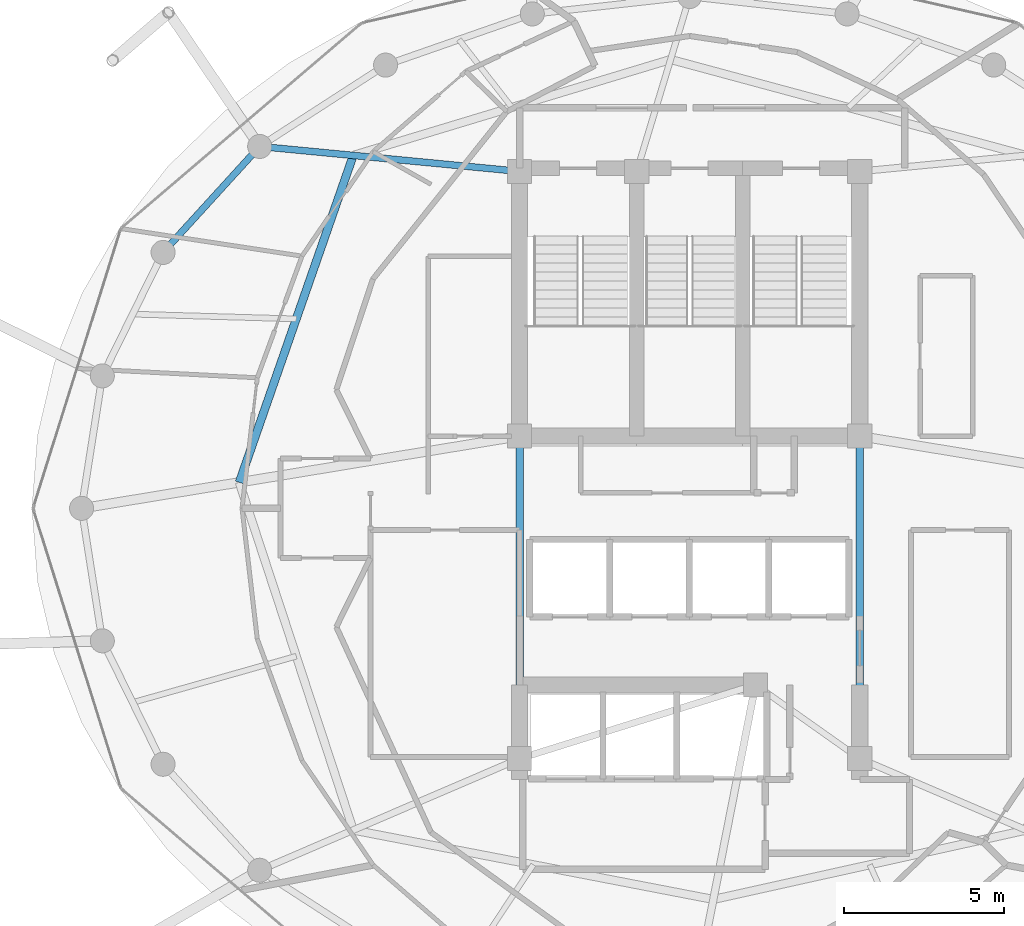
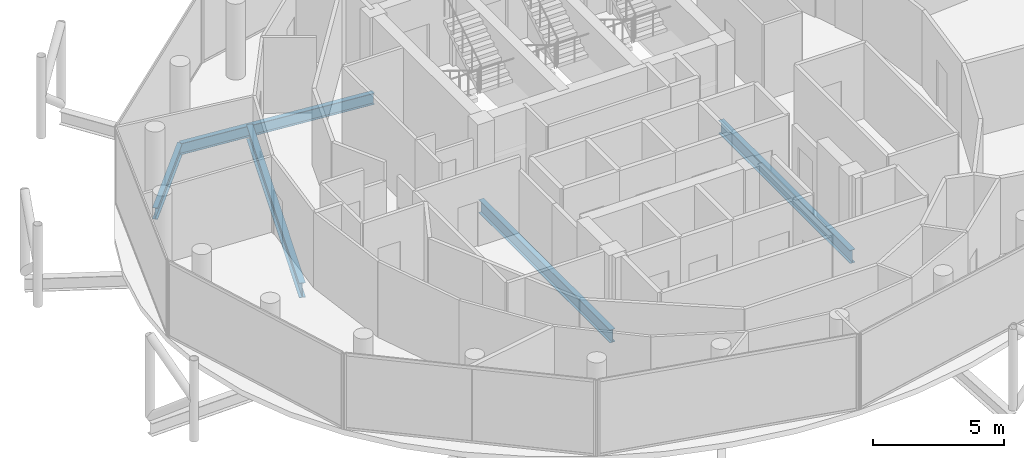
# One storey, part 8 of 24: 5 beams.
"""IFC4 building model written with IfcOpenShell, lengths in metres."""

import ifcopenshell
import ifcopenshell.guid

model = None  # the IFC model being written
_history = None  # IfcOwnerHistory: only IFC2X3 demands one
_inside = {}  # id of a spatial element -> (the spatial element, [elements in it])
_under = {}  # id of a project, library or spatial element -> (it, [spatial elements below it])
_declared = {}  # id of a project -> (the project, [libraries it declares])
_typed = {}  # id of a type object -> (the type object, [elements of that type])
_made_of = {}  # id of a material, layer set ... -> (it, [elements and type objects made of it])


def new_model(schema):
    """Start an empty IFC model of exactly this schema.

    Asked for "IFC4X3", IfcOpenShell would pick the latest addendum, in which some entities
    have other attributes; the version numbers below select the first issue.
    IFC2X3 requires an IfcOwnerHistory on every rooted entity: one is made here for all.
    """
    global model, _history
    if schema == "IFC4X3":
        model = ifcopenshell.file(schema_version=(4, 3, 0, 0))
    else:
        model = ifcopenshell.file(schema=schema)
    _inside.clear()
    _under.clear()
    _declared.clear()
    _typed.clear()
    _made_of.clear()
    _history = None
    if model.schema == "IFC2X3":
        org = make("IfcOrganization", Name="unknown")
        user = make(
            "IfcPersonAndOrganization",
            ThePerson=make("IfcPerson", FamilyName="unknown"),
            TheOrganization=org,
        )
        app = make(
            "IfcApplication",
            ApplicationDeveloper=org,
            Version="unknown",
            ApplicationFullName="unknown",
            ApplicationIdentifier="unknown",
        )
        _history = make(
            "IfcOwnerHistory",
            OwningUser=user,
            OwningApplication=app,
            ChangeAction="ADDED",
            CreationDate=0,
        )
    return model


def make(cls, **values):
    """One entity of the class cls with the attributes given. An attribute that is None is left unset."""
    return model.create_entity(
        cls, **{name: value for name, value in values.items() if value is not None}
    )


def rooted(cls, **values):
    """An entity with a GlobalId (a new one), such as an element, a storey or a relation."""
    return make(cls, GlobalId=ifcopenshell.guid.new(), OwnerHistory=_history, **values)


def si_unit(unit_type, name, prefix=None):
    """IfcSIUnit, for example si_unit("LENGTHUNIT", "METRE", prefix="MILLI")."""
    return make("IfcSIUnit", UnitType=unit_type, Prefix=prefix, Name=name)


def assignment(units):
    """IfcUnitAssignment: the units of a project."""
    return None if units is None else make("IfcUnitAssignment", Units=units)


def point(xyz):
    """IfcCartesianPoint."""
    return None if xyz is None else make("IfcCartesianPoint", Coordinates=xyz)


def direction(xyz):
    """IfcDirection."""
    return None if xyz is None else make("IfcDirection", DirectionRatios=xyz)


def frame(location, z_axis=None, x_axis=None):
    """IfcAxis2Placement3D, a coordinate frame: its origin and axes. An axis left out is left unset."""
    return make(
        "IfcAxis2Placement3D",
        Location=point(location),
        Axis=direction(z_axis),
        RefDirection=direction(x_axis),
    )


def frame_2d(location, x_axis=None):
    """IfcAxis2Placement2D, a coordinate frame in the plane: its origin and x axis."""
    return make(
        "IfcAxis2Placement2D", Location=point(location), RefDirection=direction(x_axis)
    )


def origin():
    """The frame at (0, 0, 0) with its axes left unset."""
    return frame((0.0, 0.0, 0.0))


def origin_2d():
    """The frame at (0, 0) in the plane with its x axis left unset."""
    return frame_2d((0.0, 0.0))


def place(relative_to, where):
    """IfcLocalPlacement: puts the frame where relative to a parent placement (None: the world)."""
    return make(
        "IfcLocalPlacement", PlacementRelTo=relative_to, RelativePlacement=where
    )


def context(
    kind, dimensions, precision=None, world=None, true_north=None, identifier=None
):
    """IfcGeometricRepresentationContext, for example the 3D "Model" context."""
    return make(
        "IfcGeometricRepresentationContext",
        ContextIdentifier=identifier,
        ContextType=kind,
        CoordinateSpaceDimension=dimensions,
        Precision=precision,
        WorldCoordinateSystem=world,
        TrueNorth=true_north,
    )


def subcontext(parent, identifier, kind, view, scale=None):
    """IfcGeometricRepresentationSubContext, for example "Body" below "Model"."""
    return make(
        "IfcGeometricRepresentationSubContext",
        ContextIdentifier=identifier,
        ContextType=kind,
        ParentContext=parent,
        TargetScale=scale,
        TargetView=view,
    )


def project(units=None, contexts=None):
    """IfcProject with its units and contexts."""
    return rooted(
        "IfcProject",
        Name="project",
        RepresentationContexts=contexts,
        UnitsInContext=assignment(units),
    )


def spatial(cls, under=None, at=None, **own):
    """A site, building, storey or space (cls), placed at a placement, below another one or the project."""
    s = rooted(cls, ObjectPlacement=at, **own)
    if under is not None:
        _under.setdefault(under.id(), (under, []))[1].append(s)
    return s


def profile(cls, at=None, kind="AREA", **sizes):
    """A parametric profile (cls). Its sizes go by their IFC names, for example OverallWidth=200.0."""
    return make(cls, ProfileType=kind, Position=at, **sizes)


def i_section(**sizes):
    """IfcIShapeProfileDef."""
    return profile("IfcIShapeProfileDef", **sizes)


def extrude(swept, where, along, depth):
    """IfcExtrudedAreaSolid: the profile swept, set in the frame where, extruded along a direction by depth."""
    return make(
        "IfcExtrudedAreaSolid",
        SweptArea=swept,
        Position=where,
        ExtrudedDirection=direction(along),
        Depth=depth,
    )


def shape(context_of_items, identifier, shape_type, items):
    """IfcShapeRepresentation: the items that make up one representation, for example the "Body"."""
    return make(
        "IfcShapeRepresentation",
        ContextOfItems=context_of_items,
        RepresentationIdentifier=identifier,
        RepresentationType=shape_type,
        Items=items,
    )


def material(Name=None, Category=None):
    """IfcMaterial."""
    return make("IfcMaterial", Name=Name, Category=Category)


def material_profile(
    of_material, cross_section, Name=None, Category=None, Priority=None
):
    """IfcMaterialProfile: a cross section and its material."""
    return make(
        "IfcMaterialProfile",
        Name=Name,
        Material=of_material,
        Profile=cross_section,
        Priority=Priority,
        Category=Category,
    )


def profile_set(profiles, Name=None, composite=None):
    """IfcMaterialProfileSet."""
    return make(
        "IfcMaterialProfileSet",
        Name=Name,
        MaterialProfiles=profiles,
        CompositeProfile=composite,
    )


def made_of(thing, what):
    """Note that an element or type object is made of a material, layer set ...; save() writes the relation."""
    if what is not None:
        _made_of.setdefault(what.id(), (what, []))[1].append(thing)
    return thing


def type_object(cls, material=None, **own):
    """A type object (cls), such as IfcWallType, which elements share."""
    return made_of(rooted(cls, **own), material)


def element(
    cls,
    number,
    at=None,
    inside=None,
    cuts=None,
    type_object=None,
    material=None,
    context=None,
    identifier="Body",
    shape_type=None,
    held_by="IfcProductDefinitionShape",
    body=None,
    shapes=None,
    **own,
):
    """One element of the class cls, such as IfcWall. Its Tag is "e" and its number.

    at: its placement. inside: the storey or other place that contains it. cuts: it is an
    opening in that element (IfcRelVoidsElement). A single representation is given by context,
    identifier, shape_type and body (its items); several are given by shapes. held_by: the class
    of the entity that holds the representations. save() writes the other relations.
    """
    e = rooted(cls, Tag="e%d" % number, ObjectPlacement=at, **own)
    if body is not None:
        shapes = [shape(context, identifier, shape_type, body)]
    if shapes is not None:
        e.Representation = make(held_by, Representations=shapes)
    if inside is not None:
        _inside.setdefault(inside.id(), (inside, []))[1].append(e)
    if cuts is not None:
        rooted(
            "IfcRelVoidsElement", RelatingBuildingElement=cuts, RelatedOpeningElement=e
        )
    if type_object is not None:
        _typed.setdefault(type_object.id(), (type_object, []))[1].append(e)
    return made_of(e, material)


def aggregate(whole, parts):
    """IfcRelAggregates: a whole, such as a stair, and the parts it consists of."""
    return rooted("IfcRelAggregates", RelatingObject=whole, RelatedObjects=parts)


def save(model, path):
    """Write the relations noted so far, then the file.

    IfcRelAggregates (storeys below a building ...), IfcRelContainedInSpatialStructure (elements
    in a storey), IfcRelDefinesByType, IfcRelAssociatesMaterial and IfcRelDeclares: one each for
    every whole, place, type object, material and project.
    """
    for whole, parts in _under.values():
        aggregate(whole, parts)
    for where, things in _inside.values():
        rooted(
            "IfcRelContainedInSpatialStructure",
            RelatedElements=things,
            RelatingStructure=where,
        )
    for kind, things in _typed.values():
        rooted("IfcRelDefinesByType", RelatedObjects=things, RelatingType=kind)
    for what, things in _made_of.values():
        rooted("IfcRelAssociatesMaterial", RelatedObjects=things, RelatingMaterial=what)
    for by, libraries in _declared.values():
        rooted("IfcRelDeclares", RelatingContext=by, RelatedDefinitions=libraries)
    model.write(path)


model = new_model("IFC4")

# Units and contexts
model_context = context("Model", 3, precision=1e-05, world=origin(), true_north=direction((0.0, 1.0)))
body_context = subcontext(model_context, "Body", "Model", "MODEL_VIEW")
ifc_project = project(units=[si_unit("LENGTHUNIT", "METRE"), si_unit("AREAUNIT", "SQUARE_METRE"), si_unit("VOLUMEUNIT", "CUBIC_METRE"), si_unit("PLANEANGLEUNIT", "RADIAN"), si_unit("MASSUNIT", "GRAM", prefix="KILO")], contexts=[model_context])

# Site, building, storey
site_placement = place(None, origin())
site = spatial("IfcSite", under=ifc_project, at=site_placement, CompositionType="ELEMENT")
building_placement = place(site_placement, origin())
building = spatial("IfcBuilding", under=site, at=building_placement, Name="Nuhasar Tower", CompositionType="ELEMENT")
storey_placement = place(building_placement, frame((0.0, 0.0, 278.39990234375)))
storey = spatial("IfcBuildingStorey", under=building, at=storey_placement, Name="L69", CompositionType="ELEMENT", Elevation=278.39990234375)

# Beams
ifc_material = material(Name="Steel S355", Category="steel")
ifc_material_profile_1 = material_profile(ifc_material, i_section(OverallWidth=0.25390625, OverallDepth=0.68408203125, WebThickness=0.012451171875, FlangeThickness=0.018798828125, at=origin_2d()), Name="W27X94")
ifc_profile_set_1 = profile_set([ifc_material_profile_1], Name="Steel S355")
beam_type_1 = type_object("IfcBeamType", Name="BM-INRING-W27X94", PredefinedType="BEAM", material=ifc_profile_set_1)
beam_1_placement = place(storey_placement, frame((28.51611328125, 37.798095703125, -0.601806640625), z_axis=(-0.329211236979, -0.944256300718, 0.0), x_axis=(0.944256300718, -0.329211236979, 0.0)))
element("IfcBeam", 1, at=beam_1_placement, inside=storey, type_object=beam_type_1, Name="L69 Inner Header Beam 07", PredefinedType="BEAM", context=body_context, shape_type="SweptSolid", body=[
    extrude(i_section(OverallWidth=0.25390625, OverallDepth=0.68408203125, WebThickness=0.012451171875, FlangeThickness=0.018798828125, at=origin_2d()), origin(), (0.0, 0.0, 1.0), 10.78955078125),
])
ifc_material_profile_2 = material_profile(ifc_material, i_section(OverallWidth=0.208984375, OverallDepth=0.528076171875, WebThickness=0.009521484375, FlangeThickness=0.01318359375, at=origin_2d()), Name="W21X55")
ifc_profile_set_2 = profile_set([ifc_material_profile_2], Name="Steel S355")
beam_type_2 = type_object("IfcBeamType", Name="BM-RAD-W21X55", PredefinedType="BEAM", material=ifc_profile_set_2)
beam_2_placement = place(storey_placement, frame((33.699951171875, 37.300048828125, -0.52392578125), z_axis=(-0.99542073054, 0.095590633496, 0.0), x_axis=(-0.095590633496, -0.99542073054, 0.0)))
element("IfcBeam", 2, at=beam_2_placement, inside=storey, type_object=beam_type_2, Name="L69 Radial Floor Girder 07", PredefinedType="BEAM", context=body_context, shape_type="SweptSolid", body=[
    extrude(i_section(OverallWidth=0.208984375, OverallDepth=0.528076171875, WebThickness=0.009521484375, FlangeThickness=0.01318359375, at=origin_2d()), origin(), (0.0, 0.0, 1.0), 8.13720703125),
])
ifc_material_profile_3 = material_profile(ifc_material, i_section(OverallWidth=0.22900390625, OverallDepth=0.612060546875, WebThickness=0.011962890625, FlangeThickness=0.01953125, at=origin_2d()), Name="W24X84")
ifc_profile_set_3 = profile_set([ifc_material_profile_3], Name="Steel S355")
beam_type_3 = type_object("IfcBeamType", Name="BM-RAD-W24X84", PredefinedType="BEAM", material=ifc_profile_set_3)
for number, where, z_axis, x_axis, name in (
    (3, (44.300048828125, 19.0, -0.56591796875), (0.0, 1.0, 0.0), (-1.0, 0.0, 0.0), "L69 Core Ring Girder 3"),
    (4, (33.699951171875, 29.050048828125, -0.56591796875), (0.0, -1.0, 0.0), (1.0, 0.0, 0.0), "L69 Core Ring Girder 8"),
):
    element("IfcBeam", number, at=place(storey_placement, frame(where, z_axis=z_axis, x_axis=x_axis)), inside=storey, type_object=beam_type_3, Name=name, PredefinedType="BEAM", context=body_context, shape_type="SweptSolid", body=[
        extrude(i_section(OverallWidth=0.22900390625, OverallDepth=0.612060546875, WebThickness=0.011962890625, FlangeThickness=0.01953125, at=origin_2d()), origin(), (0.0, 0.0, 1.0), 10.050048828125),
    ])
ifc_material_profile_4 = material_profile(ifc_material, i_section(OverallWidth=0.2099609375, OverallDepth=0.537109375, WebThickness=0.010986328125, FlangeThickness=0.017333984375, at=origin_2d()), Name="W21X68")
ifc_profile_set_4 = profile_set([ifc_material_profile_4], Name="Steel S355")
beam_type_4 = type_object("IfcBeamType", Name="BM-RING-W21X68", PredefinedType="SPANDREL", material=ifc_profile_set_4)
beam_3_placement = place(storey_placement, frame((25.60009765625, 38.077880859375, -0.52880859375), z_axis=(-0.673686302939, -0.739017432293, 0.0), x_axis=(0.739017432293, -0.673686302939, 0.0)))
element("IfcBeam", 5, at=beam_3_placement, inside=storey, type_object=beam_type_4, Name="L69 Perimeter Ring Spandrel 10", PredefinedType="SPANDREL", context=body_context, shape_type="SweptSolid", body=[
    extrude(i_section(OverallWidth=0.2099609375, OverallDepth=0.537109375, WebThickness=0.010986328125, FlangeThickness=0.017333984375, at=origin_2d()), origin(), (0.0, 0.0, 1.0), 4.469482421875),
])

save(model, "model.ifc")
